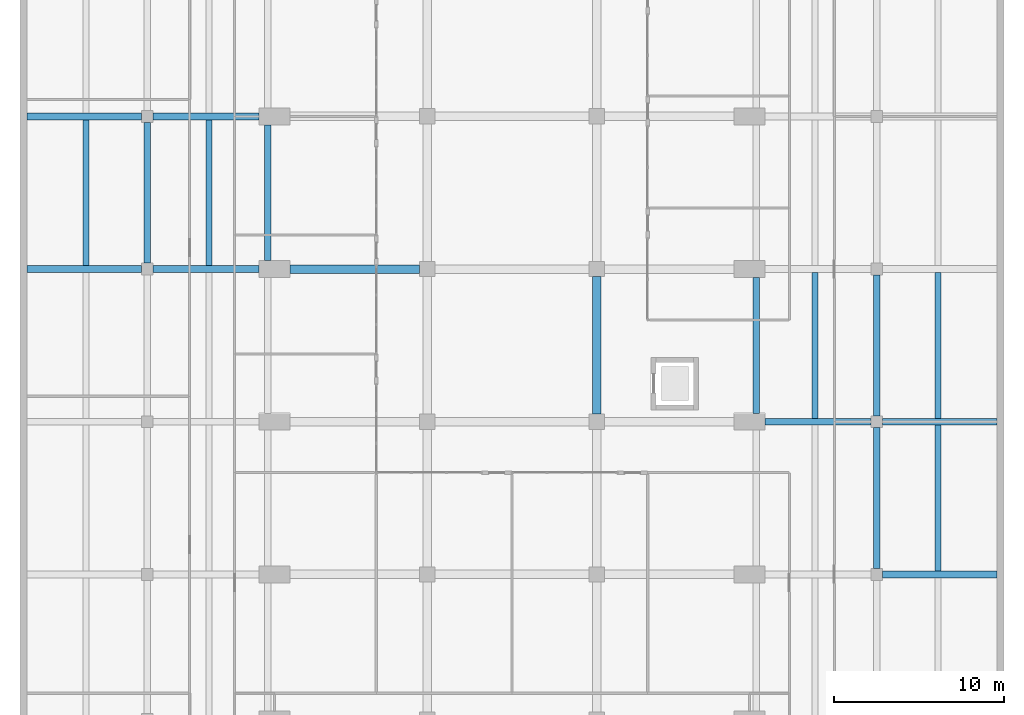
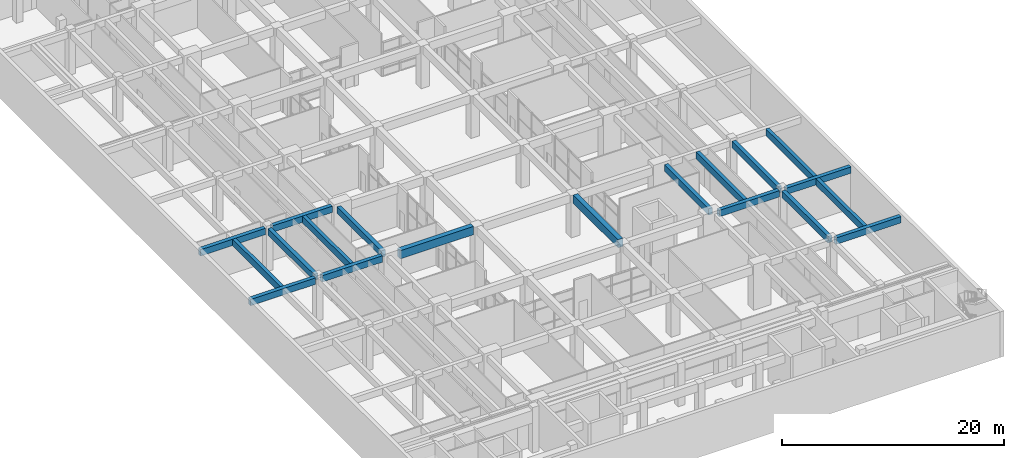
# One storey, part 4 of 29: 19 beams.
"""IFC4 building model written with IfcOpenShell, lengths in metres."""

from ifc_helpers import new_model, si_unit, direction, frame, origin, origin_2d, place, context, subcontext, project, spatial, rectangle, extrude, material, material_profile, profile_set, type_object, element, save


model = new_model("IFC4")

# Units and contexts
model_context = context("Model", 3, precision=1e-05, world=origin(), true_north=direction((0.0, 1.0)))
body_context = subcontext(model_context, "Body", "Model", "MODEL_VIEW")
ifc_project = project(units=[si_unit("LENGTHUNIT", "METRE"), si_unit("AREAUNIT", "SQUARE_METRE"), si_unit("VOLUMEUNIT", "CUBIC_METRE"), si_unit("PLANEANGLEUNIT", "RADIAN"), si_unit("MASSUNIT", "GRAM", prefix="KILO")], contexts=[model_context])

# Site, building, storey
site_placement = place(None, origin())
site = spatial("IfcSite", under=ifc_project, at=site_placement, CompositionType="ELEMENT")
building_placement = place(site_placement, origin())
building = spatial("IfcBuilding", under=site, at=building_placement, Name="Elmora Arch Market Hall", CompositionType="ELEMENT")
storey_placement = place(building_placement, frame((0.0, 0.0, -5.0)))
storey = spatial("IfcBuildingStorey", under=building, at=storey_placement, Name="LG", CompositionType="ELEMENT", Elevation=-5.0)

# Beams
ifc_material_1 = material(Name="Concrete C32/40", Category="concrete")
ifc_material_profile_1 = material_profile(ifc_material_1, rectangle(XDim=0.5, YDim=0.89990234375, at=origin_2d()), Name="Basement girder 500x900")
ifc_profile_set_1 = profile_set([ifc_material_profile_1], Name="Concrete C32/40")
beam_type_1 = type_object("IfcBeamType", Name="Basement girder 500x900", PredefinedType="BEAM", material=ifc_profile_set_1)
beam_1_placement = place(storey_placement, frame((15.89990234375, 54.0, 4.199951171875), z_axis=(1.0, 0.0, 0.0), x_axis=(0.0, 1.0, 0.0)))
element("IfcBeam", 1, at=beam_1_placement, inside=storey, type_object=beam_type_1, Name="Basement girder HR4 LG.1", PredefinedType="BEAM", context=body_context, shape_type="SweptSolid", body=[
    extrude(rectangle(XDim=0.5, YDim=0.89990234375, at=origin_2d()), origin(), (0.0, 0.0, 1.0), 7.650146484375),
])
beam_2_placement = place(storey_placement, frame((34.0, 45.449951171875, 4.199951171875), z_axis=(0.0, 1.0, 0.0), x_axis=(-1.0, 0.0, 0.0)))
element("IfcBeam", 2, at=beam_2_placement, inside=storey, type_object=beam_type_1, Name="Basement girder HC2 LG.3", PredefinedType="BEAM", context=body_context, shape_type="SweptSolid", body=[
    extrude(rectangle(XDim=0.5, YDim=0.89990234375, at=origin_2d()), origin(), (0.0, 0.0, 1.0), 8.10009765625),
])
ifc_material_2 = material(Name="Concrete C32/40", Category="concrete")
ifc_material_profile_2 = material_profile(ifc_material_2, rectangle(XDim=0.39990234375, YDim=0.699951171875, at=origin_2d()), Name="Wing beam 400x700")
ifc_profile_set_2 = profile_set([ifc_material_profile_2], Name="Concrete C32/40")
beam_type_2 = type_object("IfcBeamType", Name="Wing beam 400x700", PredefinedType="BEAM", material=ifc_profile_set_2)
beam_3_placement = place(storey_placement, frame((0.39990234375, 54.0, 4.35009765625), z_axis=(1.0, 0.0, 0.0), x_axis=(0.0, 1.0, 0.0)))
element("IfcBeam", 3, at=beam_3_placement, inside=storey, type_object=beam_type_2, Name="Wing beam WR4 LG.1", PredefinedType="BEAM", context=body_context, shape_type="SweptSolid", body=[
    extrude(rectangle(XDim=0.39990234375, YDim=0.699951171875, at=origin_2d()), origin(), (0.0, 0.0, 1.0), 6.75),
])
beam_4_placement = place(storey_placement, frame((7.85009765625, 54.0, 4.35009765625), z_axis=(1.0, 0.0, 0.0), x_axis=(0.0, 1.0, 0.0)))
element("IfcBeam", 4, at=beam_4_placement, inside=storey, type_object=beam_type_2, Name="Wing beam WR4 LG.2", PredefinedType="BEAM", context=body_context, shape_type="SweptSolid", body=[
    extrude(rectangle(XDim=0.39990234375, YDim=0.699951171875, at=origin_2d()), origin(), (0.0, 0.0, 1.0), 6.25),
])
beam_5_placement = place(storey_placement, frame((0.39990234375, 63.0, 4.35009765625), z_axis=(1.0, 0.0, 0.0), x_axis=(0.0, 1.0, 0.0)))
element("IfcBeam", 5, at=beam_5_placement, inside=storey, type_object=beam_type_2, Name="Wing beam WR5 LG.1", PredefinedType="BEAM", context=body_context, shape_type="SweptSolid", body=[
    extrude(rectangle(XDim=0.39990234375, YDim=0.699951171875, at=origin_2d()), origin(), (0.0, 0.0, 1.0), 6.75),
])
beam_6_placement = place(storey_placement, frame((7.85009765625, 63.0, 4.35009765625), z_axis=(1.0, 0.0, 0.0), x_axis=(0.0, 1.0, 0.0)))
element("IfcBeam", 6, at=beam_6_placement, inside=storey, type_object=beam_type_2, Name="Wing beam WR5 LG.2", PredefinedType="BEAM", context=body_context, shape_type="SweptSolid", body=[
    extrude(rectangle(XDim=0.39990234375, YDim=0.699951171875, at=origin_2d()), origin(), (0.0, 0.0, 1.0), 6.25),
])
beam_7_placement = place(storey_placement, frame((7.5, 54.35009765625, 4.35009765625), z_axis=(0.0, 1.0, 0.0), x_axis=(-1.0, 0.0, 0.0)))
element("IfcBeam", 7, at=beam_7_placement, inside=storey, type_object=beam_type_2, Name="Wing beam WG LG.4", PredefinedType="BEAM", context=body_context, shape_type="SweptSolid", body=[
    extrude(rectangle(XDim=0.39990234375, YDim=0.699951171875, at=origin_2d()), origin(), (0.0, 0.0, 1.0), 8.2998046875),
])
beam_8_placement = place(storey_placement, frame((14.60009765625, 54.5, 4.35009765625), z_axis=(0.0, 1.0, 0.0), x_axis=(-1.0, 0.0, 0.0)))
element("IfcBeam", 8, at=beam_8_placement, inside=storey, type_object=beam_type_2, Name="Wing beam WEB LG.4", PredefinedType="BEAM", context=body_context, shape_type="SweptSolid", body=[
    extrude(rectangle(XDim=0.39990234375, YDim=0.699951171875, at=origin_2d()), origin(), (0.0, 0.0, 1.0), 8.0),
])
beam_9_placement = place(storey_placement, frame((50.85009765625, 36.0, 4.35009765625), z_axis=(1.0, 0.0, 0.0), x_axis=(0.0, 1.0, 0.0)))
element("IfcBeam", 9, at=beam_9_placement, inside=storey, type_object=beam_type_2, Name="Wing beam ER2 LG.2", PredefinedType="BEAM", context=body_context, shape_type="SweptSolid", body=[
    extrude(rectangle(XDim=0.39990234375, YDim=0.699951171875, at=origin_2d()), origin(), (0.0, 0.0, 1.0), 6.75),
])
beam_10_placement = place(storey_placement, frame((43.89990234375, 45.0, 4.35009765625), z_axis=(1.0, 0.0, 0.0), x_axis=(0.0, 1.0, 0.0)))
element("IfcBeam", 10, at=beam_10_placement, inside=storey, type_object=beam_type_2, Name="Wing beam ER3 LG.1", PredefinedType="BEAM", context=body_context, shape_type="SweptSolid", body=[
    extrude(rectangle(XDim=0.39990234375, YDim=0.699951171875, at=origin_2d()), origin(), (0.0, 0.0, 1.0), 6.25),
])
beam_11_placement = place(storey_placement, frame((50.85009765625, 45.0, 4.35009765625), z_axis=(1.0, 0.0, 0.0), x_axis=(0.0, 1.0, 0.0)))
element("IfcBeam", 11, at=beam_11_placement, inside=storey, type_object=beam_type_2, Name="Wing beam ER3 LG.2", PredefinedType="BEAM", context=body_context, shape_type="SweptSolid", body=[
    extrude(rectangle(XDim=0.39990234375, YDim=0.699951171875, at=origin_2d()), origin(), (0.0, 0.0, 1.0), 6.75),
])
for number, where, z_axis, x_axis, name in (
    (12, (50.5, 36.35009765625, 4.35009765625), (0.0, 1.0, 0.0), (-1.0, 0.0, 0.0), "Wing beam EG LG.2"),
    (13, (50.5, 45.35009765625, 4.35009765625), (0.0, 1.0, 0.0), (-1.0, 0.0, 0.0), "Wing beam EG LG.3"),
):
    element("IfcBeam", number, at=place(storey_placement, frame(where, z_axis=z_axis, x_axis=x_axis)), inside=storey, type_object=beam_type_2, Name=name, PredefinedType="BEAM", context=body_context, shape_type="SweptSolid", body=[
        extrude(rectangle(XDim=0.39990234375, YDim=0.699951171875, at=origin_2d()), origin(), (0.0, 0.0, 1.0), 8.2998046875),
    ])
beam_12_placement = place(storey_placement, frame((43.39990234375, 45.5, 4.35009765625), z_axis=(0.0, 1.0, 0.0), x_axis=(-1.0, 0.0, 0.0)))
element("IfcBeam", 14, at=beam_12_placement, inside=storey, type_object=beam_type_2, Name="Wing beam EEB LG.3", PredefinedType="BEAM", context=body_context, shape_type="SweptSolid", body=[
    extrude(rectangle(XDim=0.39990234375, YDim=0.699951171875, at=origin_2d()), origin(), (0.0, 0.0, 1.0), 8.0),
])
ifc_material_3 = material(Name="Concrete C32/40", Category="concrete")
ifc_material_profile_3 = material_profile(ifc_material_3, rectangle(XDim=0.35009765625, YDim=0.75, at=origin_2d()), Name="Wing joist 350x750")
ifc_profile_set_3 = profile_set([ifc_material_profile_3], Name="Concrete C32/40")
beam_type_3 = type_object("IfcBeamType", Name="Wing joist 350x750", PredefinedType="JOIST", material=ifc_profile_set_3)
for number, where, z_axis, x_axis, name in (
    (15, (3.89990234375, 54.199951171875, 4.324951171875), (0.0, 1.0, 0.0), (-1.0, 0.0, 0.0), "Wing joist WJ1 LG.4"),
    (16, (11.14990234375, 54.199951171875, 4.324951171875), (0.0, 1.0, 0.0), (-1.0, 0.0, 0.0), "Wing joist WJ2 LG.4"),
    (17, (46.85009765625, 45.199951171875, 4.324951171875), (0.0, 1.0, 0.0), (-1.0, 0.0, 0.0), "Wing joist EJ1 LG.3"),
    (18, (54.10009765625, 36.199951171875, 4.324951171875), (0.0, 1.0, 0.0), (-1.0, 0.0, 0.0), "Wing joist EJ2 LG.2"),
    (19, (54.10009765625, 45.199951171875, 4.324951171875), (0.0, 1.0, 0.0), (-1.0, 0.0, 0.0), "Wing joist EJ2 LG.3"),
):
    element("IfcBeam", number, at=place(storey_placement, frame(where, z_axis=z_axis, x_axis=x_axis)), inside=storey, type_object=beam_type_3, Name=name, PredefinedType="JOIST", context=body_context, shape_type="SweptSolid", body=[
        extrude(rectangle(XDim=0.35009765625, YDim=0.75, at=origin_2d()), origin(), (0.0, 0.0, 1.0), 8.60009765625),
    ])

save(model, "model.ifc")
